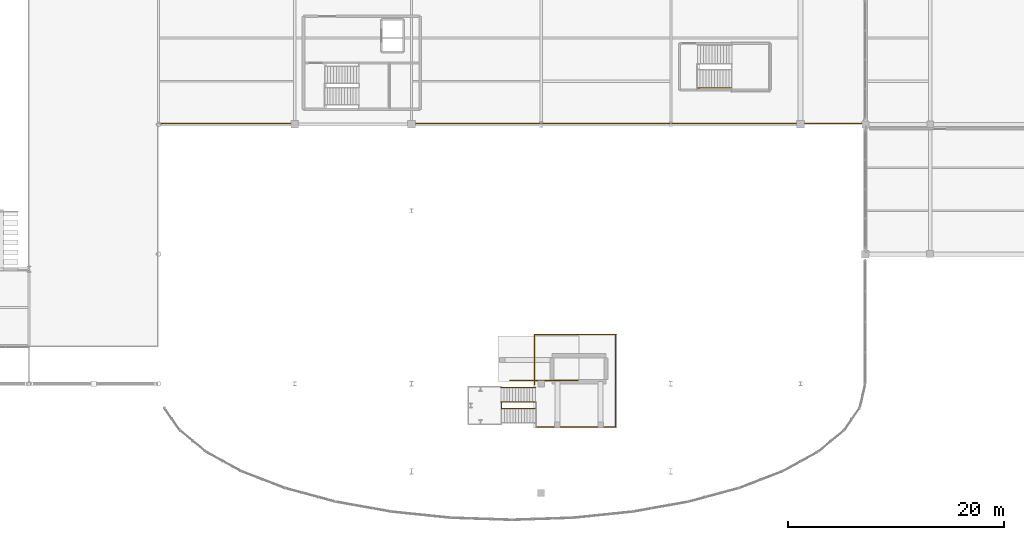
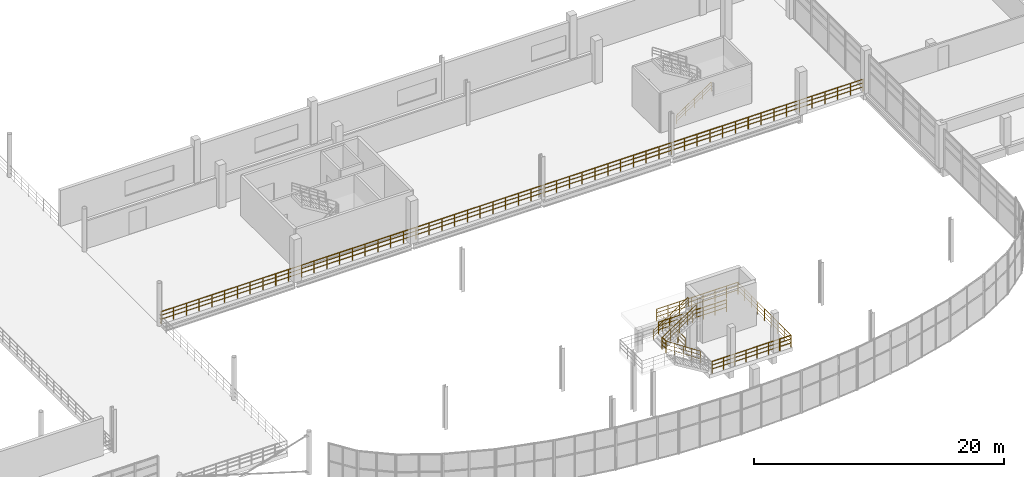
# One storey, part 85 of 89: 11 railings.
"""IFC4 building model written with IfcOpenShell, lengths in metres."""

from ifc_helpers import new_model, si_unit, direction, frame, origin, origin_2d, place, context, subcontext, project, spatial, circle, extrude, material, layer, layer_set, type_object, element, save


model = new_model("IFC4")

# Units and contexts
model_context = context("Model", 3, precision=1e-05, world=origin(), true_north=direction((0.0, 1.0)))
body_context = subcontext(model_context, "Body", "Model", "MODEL_VIEW")
ifc_project = project(units=[si_unit("LENGTHUNIT", "METRE"), si_unit("AREAUNIT", "SQUARE_METRE"), si_unit("VOLUMEUNIT", "CUBIC_METRE"), si_unit("PLANEANGLEUNIT", "RADIAN"), si_unit("MASSUNIT", "GRAM", prefix="KILO"), si_unit("THERMODYNAMICTEMPERATUREUNIT", "KELVIN"), si_unit("POWERUNIT", "WATT")], contexts=[model_context])

# Site, building, storey
site_placement = place(None, origin())
site = spatial("IfcSite", under=ifc_project, at=site_placement, CompositionType="ELEMENT")
building_placement = place(site_placement, origin())
building = spatial("IfcBuilding", under=site, at=building_placement, Name="Solmara Park Aquatics Centre", CompositionType="ELEMENT")
storey_placement = place(building_placement, frame((0.0, 0.0, 5.39990234375)))
storey = spatial("IfcBuildingStorey", under=building, at=storey_placement, Name="L01", CompositionType="ELEMENT", Elevation=5.39990234375)

# Railings
ifc_material_1 = material(Name="Brushed Marine-Grade Stainless Steel 316L Handrail", Category="steel")
ifc_layer_1 = layer(ifc_material_1, 0.044921875, Name="Brushed Marine-Grade Stainless Steel 316L Handrail")
ifc_layer_set_1 = layer_set([ifc_layer_1], Name="Brushed Marine-Grade Stainless Steel 316L Handrail")
railing_type_1 = type_object("IfcRailingType", Name="ARC-RL-HND090", PredefinedType="HANDRAIL", material=ifc_layer_set_1)
railing_1_placement = place(storey_placement, frame((146.449951171875, 39.9599609375, 0.16162109375)))
element("IfcRailing", 1, at=railing_1_placement, inside=storey, type_object=railing_type_1, Name="Diving Pavilion Escape Stair ST-09 (L01-L02) Flight 1 Outer Handrail", PredefinedType="HANDRAIL", context=body_context, shape_type="SweptSolid", body=[
    extrude(circle(Radius=0.02392578125, at=origin_2d()), frame((0.0, 0.0, 0.89599609375), z_axis=(0.834447378162, 0.0, 0.551087627405), x_axis=(0.0, 1.0, 0.0)), (0.0, 0.0, 1.0), 3.810791015625),
    extrude(circle(Radius=0.01416015625, at=origin_2d()), frame((0.0, 0.0, 0.322021484375), z_axis=(0.834447378162, 0.0, 0.551087627405), x_axis=(0.0, 1.0, 0.0)), (0.0, 0.0, 1.0), 3.810791015625),
    extrude(circle(Radius=0.01416015625, at=origin_2d()), frame((0.0, 0.0, 0.62548828125), z_axis=(0.834447378162, 0.0, 0.551087627405), x_axis=(0.0, 1.0, 0.0)), (0.0, 0.0, 1.0), 3.810791015625),
    extrude(circle(Radius=0.02099609375, at=origin_2d()), origin(), (0.0, 0.0, 1.0), 0.871826171875),
    extrude(circle(Radius=0.02099609375, at=origin_2d()), frame((0.794921875, 0.0, 0.52490234375)), (0.0, 0.0, 1.0), 0.871826171875),
    extrude(circle(Radius=0.02099609375, at=origin_2d()), frame((1.58984375, 0.0, 1.050048828125)), (0.0, 0.0, 1.0), 0.871826171875),
    extrude(circle(Radius=0.02099609375, at=origin_2d()), frame((2.385009765625, 0.0, 1.5751953125)), (0.0, 0.0, 1.0), 0.871826171875),
    extrude(circle(Radius=0.02099609375, at=origin_2d()), frame((3.179931640625, 0.0, 2.10009765625)), (0.0, 0.0, 1.0), 0.871826171875),
])
railing_2_placement = place(storey_placement, frame((128.2900390625, 12.239990234375, 2.26171875)))
element("IfcRailing", 2, at=railing_2_placement, inside=storey, type_object=railing_type_1, Name="Diving Tower Platform Stair DT-02 Flight 2 Outer Handrail", PredefinedType="HANDRAIL", context=body_context, shape_type="SweptSolid", body=[
    extrude(circle(Radius=0.02392578125, at=origin_2d()), frame((0.0, 0.0, 0.89599609375), z_axis=(0.834476838559, 0.0, 0.551043016387), x_axis=(0.0, 1.0, 0.0)), (0.0, 0.0, 1.0), 3.810791015625),
    extrude(circle(Radius=0.01416015625, at=origin_2d()), frame((0.0, 0.0, 0.322021484375), z_axis=(0.834476838559, 0.0, 0.551043016387), x_axis=(0.0, 1.0, 0.0)), (0.0, 0.0, 1.0), 3.810791015625),
    extrude(circle(Radius=0.01416015625, at=origin_2d()), frame((0.0, 0.0, 0.62548828125), z_axis=(0.834476838559, 0.0, 0.551043016387), x_axis=(0.0, 1.0, 0.0)), (0.0, 0.0, 1.0), 3.810791015625),
    extrude(circle(Radius=0.02099609375, at=origin_2d()), origin(), (0.0, 0.0, 1.0), 0.871826171875),
    extrude(circle(Radius=0.02099609375, at=origin_2d()), frame((0.794921875, 0.0, 0.52490234375)), (0.0, 0.0, 1.0), 0.871826171875),
    extrude(circle(Radius=0.02099609375, at=origin_2d()), frame((1.58984375, 0.0, 1.0498046875)), (0.0, 0.0, 1.0), 0.871826171875),
    extrude(circle(Radius=0.02099609375, at=origin_2d()), frame((2.385009765625, 0.0, 1.574951171875)), (0.0, 0.0, 1.0), 0.871826171875),
    extrude(circle(Radius=0.02099609375, at=origin_2d()), frame((3.179931640625, 0.0, 2.099853515625)), (0.0, 0.0, 1.0), 0.871826171875),
])
ifc_material_2 = material(Name="Toughened Glass and Stainless Steel Stand Guardrail", Category="steel")
ifc_layer_2 = layer(ifc_material_2, 0.06005859375, Name="Toughened Glass and Stainless Steel Stand Guardrail")
ifc_layer_set_2 = layer_set([ifc_layer_2], Name="Toughened Glass and Stainless Steel Stand Guardrail")
railing_type_2 = type_object("IfcRailingType", Name="ARC-RL-STD110", PredefinedType="GUARDRAIL", material=ifc_layer_set_2)
railing_3_placement = place(storey_placement, frame((96.800048828125, 36.699951171875, 0.0)))
element("IfcRailing", 3, at=railing_3_placement, inside=storey, type_object=railing_type_2, Name="Atrium & Gallery Void Guardrail 13", PredefinedType="GUARDRAIL", context=body_context, shape_type="SweptSolid", body=[
    extrude(circle(Radius=0.02392578125, at=origin_2d()), frame((0.0, 0.0, 1.15576171875), z_axis=(1.0, 0.0, 0.0), x_axis=(0.0, 1.0, 0.0)), (0.0, 0.0, 1.0), 65.0),
    extrude(circle(Radius=0.01416015625, at=origin_2d()), frame((0.0, 0.0, 0.4130859375), z_axis=(1.0, 0.0, 0.0), x_axis=(0.0, 1.0, 0.0)), (0.0, 0.0, 1.0), 65.0),
    extrude(circle(Radius=0.01416015625, at=origin_2d()), frame((0.0, 0.0, 0.80224609375), z_axis=(1.0, 0.0, 0.0), x_axis=(0.0, 1.0, 0.0)), (0.0, 0.0, 1.0), 65.0),
    extrude(circle(Radius=0.02099609375, at=origin_2d()), origin(), (0.0, 0.0, 1.0), 1.1318359375),
    extrude(circle(Radius=0.02099609375, at=origin_2d()), frame((1.181884765625, 0.0, 0.0)), (0.0, 0.0, 1.0), 1.1318359375),
    extrude(circle(Radius=0.02099609375, at=origin_2d()), frame((2.363525390625, 0.0, 0.0)), (0.0, 0.0, 1.0), 1.1318359375),
    extrude(circle(Radius=0.02099609375, at=origin_2d()), frame((3.54541015625, 0.0, 0.0)), (0.0, 0.0, 1.0), 1.1318359375),
    extrude(circle(Radius=0.02099609375, at=origin_2d()), frame((4.727294921875, 0.0, 0.0)), (0.0, 0.0, 1.0), 1.1318359375),
    extrude(circle(Radius=0.02099609375, at=origin_2d()), frame((5.9091796875, 0.0, 0.0)), (0.0, 0.0, 1.0), 1.1318359375),
    extrude(circle(Radius=0.02099609375, at=origin_2d()), frame((7.0908203125, 0.0, 0.0)), (0.0, 0.0, 1.0), 1.1318359375),
    extrude(circle(Radius=0.02099609375, at=origin_2d()), frame((8.272705078125, 0.0, 0.0)), (0.0, 0.0, 1.0), 1.1318359375),
    extrude(circle(Radius=0.02099609375, at=origin_2d()), frame((9.45458984375, 0.0, 0.0)), (0.0, 0.0, 1.0), 1.1318359375),
    extrude(circle(Radius=0.02099609375, at=origin_2d()), frame((10.636474609375, 0.0, 0.0)), (0.0, 0.0, 1.0), 1.1318359375),
    extrude(circle(Radius=0.02099609375, at=origin_2d()), frame((11.818115234375, 0.0, 0.0)), (0.0, 0.0, 1.0), 1.1318359375),
    extrude(circle(Radius=0.02099609375, at=origin_2d()), frame((13.0, 0.0, 0.0)), (0.0, 0.0, 1.0), 1.1318359375),
    extrude(circle(Radius=0.02099609375, at=origin_2d()), frame((14.181884765625, 0.0, 0.0)), (0.0, 0.0, 1.0), 1.1318359375),
    extrude(circle(Radius=0.02099609375, at=origin_2d()), frame((15.363525390625, 0.0, 0.0)), (0.0, 0.0, 1.0), 1.1318359375),
    extrude(circle(Radius=0.02099609375, at=origin_2d()), frame((16.54541015625, 0.0, 0.0)), (0.0, 0.0, 1.0), 1.1318359375),
    extrude(circle(Radius=0.02099609375, at=origin_2d()), frame((17.727294921875, 0.0, 0.0)), (0.0, 0.0, 1.0), 1.1318359375),
    extrude(circle(Radius=0.02099609375, at=origin_2d()), frame((18.9091796875, 0.0, 0.0)), (0.0, 0.0, 1.0), 1.1318359375),
    extrude(circle(Radius=0.02099609375, at=origin_2d()), frame((20.0908203125, 0.0, 0.0)), (0.0, 0.0, 1.0), 1.1318359375),
    extrude(circle(Radius=0.02099609375, at=origin_2d()), frame((21.272705078125, 0.0, 0.0)), (0.0, 0.0, 1.0), 1.1318359375),
    extrude(circle(Radius=0.02099609375, at=origin_2d()), frame((22.45458984375, 0.0, 0.0)), (0.0, 0.0, 1.0), 1.1318359375),
    extrude(circle(Radius=0.02099609375, at=origin_2d()), frame((23.636474609375, 0.0, 0.0)), (0.0, 0.0, 1.0), 1.1318359375),
    extrude(circle(Radius=0.02099609375, at=origin_2d()), frame((24.818115234375, 0.0, 0.0)), (0.0, 0.0, 1.0), 1.1318359375),
    extrude(circle(Radius=0.02099609375, at=origin_2d()), frame((26.0, 0.0, 0.0)), (0.0, 0.0, 1.0), 1.1318359375),
    extrude(circle(Radius=0.02099609375, at=origin_2d()), frame((27.181884765625, 0.0, 0.0)), (0.0, 0.0, 1.0), 1.1318359375),
    extrude(circle(Radius=0.02099609375, at=origin_2d()), frame((28.363525390625, 0.0, 0.0)), (0.0, 0.0, 1.0), 1.1318359375),
    extrude(circle(Radius=0.02099609375, at=origin_2d()), frame((29.54541015625, 0.0, 0.0)), (0.0, 0.0, 1.0), 1.1318359375),
    extrude(circle(Radius=0.02099609375, at=origin_2d()), frame((30.727294921875, 0.0, 0.0)), (0.0, 0.0, 1.0), 1.1318359375),
    extrude(circle(Radius=0.02099609375, at=origin_2d()), frame((31.9091796875, 0.0, 0.0)), (0.0, 0.0, 1.0), 1.1318359375),
    extrude(circle(Radius=0.02099609375, at=origin_2d()), frame((33.0908203125, 0.0, 0.0)), (0.0, 0.0, 1.0), 1.1318359375),
    extrude(circle(Radius=0.02099609375, at=origin_2d()), frame((34.272705078125, 0.0, 0.0)), (0.0, 0.0, 1.0), 1.1318359375),
    extrude(circle(Radius=0.02099609375, at=origin_2d()), frame((35.45458984375, 0.0, 0.0)), (0.0, 0.0, 1.0), 1.1318359375),
    extrude(circle(Radius=0.02099609375, at=origin_2d()), frame((36.636474609375, 0.0, 0.0)), (0.0, 0.0, 1.0), 1.1318359375),
    extrude(circle(Radius=0.02099609375, at=origin_2d()), frame((37.818115234375, 0.0, 0.0)), (0.0, 0.0, 1.0), 1.1318359375),
    extrude(circle(Radius=0.02099609375, at=origin_2d()), frame((39.0, 0.0, 0.0)), (0.0, 0.0, 1.0), 1.1318359375),
    extrude(circle(Radius=0.02099609375, at=origin_2d()), frame((40.181884765625, 0.0, 0.0)), (0.0, 0.0, 1.0), 1.1318359375),
    extrude(circle(Radius=0.02099609375, at=origin_2d()), frame((41.363525390625, 0.0, 0.0)), (0.0, 0.0, 1.0), 1.1318359375),
    extrude(circle(Radius=0.02099609375, at=origin_2d()), frame((42.54541015625, 0.0, 0.0)), (0.0, 0.0, 1.0), 1.1318359375),
    extrude(circle(Radius=0.02099609375, at=origin_2d()), frame((43.727294921875, 0.0, 0.0)), (0.0, 0.0, 1.0), 1.1318359375),
    extrude(circle(Radius=0.02099609375, at=origin_2d()), frame((44.9091796875, 0.0, 0.0)), (0.0, 0.0, 1.0), 1.1318359375),
    extrude(circle(Radius=0.02099609375, at=origin_2d()), frame((46.0908203125, 0.0, 0.0)), (0.0, 0.0, 1.0), 1.1318359375),
    extrude(circle(Radius=0.02099609375, at=origin_2d()), frame((47.272705078125, 0.0, 0.0)), (0.0, 0.0, 1.0), 1.1318359375),
    extrude(circle(Radius=0.02099609375, at=origin_2d()), frame((48.45458984375, 0.0, 0.0)), (0.0, 0.0, 1.0), 1.1318359375),
    extrude(circle(Radius=0.02099609375, at=origin_2d()), frame((49.636474609375, 0.0, 0.0)), (0.0, 0.0, 1.0), 1.1318359375),
    extrude(circle(Radius=0.02099609375, at=origin_2d()), frame((50.818115234375, 0.0, 0.0)), (0.0, 0.0, 1.0), 1.1318359375),
    extrude(circle(Radius=0.02099609375, at=origin_2d()), frame((52.0, 0.0, 0.0)), (0.0, 0.0, 1.0), 1.1318359375),
    extrude(circle(Radius=0.02099609375, at=origin_2d()), frame((53.181884765625, 0.0, 0.0)), (0.0, 0.0, 1.0), 1.1318359375),
    extrude(circle(Radius=0.02099609375, at=origin_2d()), frame((54.363525390625, 0.0, 0.0)), (0.0, 0.0, 1.0), 1.1318359375),
    extrude(circle(Radius=0.02099609375, at=origin_2d()), frame((55.54541015625, 0.0, 0.0)), (0.0, 0.0, 1.0), 1.1318359375),
    extrude(circle(Radius=0.02099609375, at=origin_2d()), frame((56.727294921875, 0.0, 0.0)), (0.0, 0.0, 1.0), 1.1318359375),
    extrude(circle(Radius=0.02099609375, at=origin_2d()), frame((57.9091796875, 0.0, 0.0)), (0.0, 0.0, 1.0), 1.1318359375),
    extrude(circle(Radius=0.02099609375, at=origin_2d()), frame((59.0908203125, 0.0, 0.0)), (0.0, 0.0, 1.0), 1.1318359375),
    extrude(circle(Radius=0.02099609375, at=origin_2d()), frame((60.272705078125, 0.0, 0.0)), (0.0, 0.0, 1.0), 1.1318359375),
    extrude(circle(Radius=0.02099609375, at=origin_2d()), frame((61.45458984375, 0.0, 0.0)), (0.0, 0.0, 1.0), 1.1318359375),
    extrude(circle(Radius=0.02099609375, at=origin_2d()), frame((62.636474609375, 0.0, 0.0)), (0.0, 0.0, 1.0), 1.1318359375),
    extrude(circle(Radius=0.02099609375, at=origin_2d()), frame((63.818115234375, 0.0, 0.0)), (0.0, 0.0, 1.0), 1.1318359375),
    extrude(circle(Radius=0.02099609375, at=origin_2d()), frame((65.0, 0.0, 0.0)), (0.0, 0.0, 1.0), 1.1318359375),
])
railing_4_placement = place(storey_placement, frame((131.60009765625, 8.60009765625, 0.0)))
element("IfcRailing", 4, at=railing_4_placement, inside=storey, type_object=railing_type_2, Name="Atrium & Gallery Void Guardrail 26", PredefinedType="GUARDRAIL", context=body_context, shape_type="SweptSolid", body=[
    extrude(circle(Radius=0.02392578125, at=origin_2d()), frame((0.0, 0.0, 1.15576171875), z_axis=(1.0, 0.0, 0.0), x_axis=(0.0, 1.0, 0.0)), (0.0, 0.0, 1.0), 7.2998046875),
    extrude(circle(Radius=0.01416015625, at=origin_2d()), frame((0.0, 0.0, 0.4130859375), z_axis=(1.0, 0.0, 0.0), x_axis=(0.0, 1.0, 0.0)), (0.0, 0.0, 1.0), 7.2998046875),
    extrude(circle(Radius=0.01416015625, at=origin_2d()), frame((0.0, 0.0, 0.80224609375), z_axis=(1.0, 0.0, 0.0), x_axis=(0.0, 1.0, 0.0)), (0.0, 0.0, 1.0), 7.2998046875),
    extrude(circle(Radius=0.02099609375, at=origin_2d()), origin(), (0.0, 0.0, 1.0), 1.1318359375),
    extrude(circle(Radius=0.02099609375, at=origin_2d()), frame((1.042724609375, 0.0, 0.0)), (0.0, 0.0, 1.0), 1.1318359375),
    extrude(circle(Radius=0.02099609375, at=origin_2d()), frame((2.085693359375, 0.0, 0.0)), (0.0, 0.0, 1.0), 1.1318359375),
    extrude(circle(Radius=0.02099609375, at=origin_2d()), frame((3.12841796875, 0.0, 0.0)), (0.0, 0.0, 1.0), 1.1318359375),
    extrude(circle(Radius=0.02099609375, at=origin_2d()), frame((4.17138671875, 0.0, 0.0)), (0.0, 0.0, 1.0), 1.1318359375),
    extrude(circle(Radius=0.02099609375, at=origin_2d()), frame((5.214111328125, 0.0, 0.0)), (0.0, 0.0, 1.0), 1.1318359375),
    extrude(circle(Radius=0.02099609375, at=origin_2d()), frame((6.257080078125, 0.0, 0.0)), (0.0, 0.0, 1.0), 1.1318359375),
    extrude(circle(Radius=0.02099609375, at=origin_2d()), frame((7.2998046875, 0.0, 0.0)), (0.0, 0.0, 1.0), 1.1318359375),
])
railing_5_placement = place(storey_placement, frame((138.89990234375, 8.60009765625, 0.0)))
element("IfcRailing", 5, at=railing_5_placement, inside=storey, type_object=railing_type_2, Name="Atrium & Gallery Void Guardrail 27", PredefinedType="GUARDRAIL", context=body_context, shape_type="SweptSolid", body=[
    extrude(circle(Radius=0.02392578125, at=origin_2d()), frame((0.0, 0.0, 1.15576171875), z_axis=(0.0, 1.0, 0.0), x_axis=(-1.0, 0.0, 0.0)), (0.0, 0.0, 1.0), 8.5),
    extrude(circle(Radius=0.01416015625, at=origin_2d()), frame((0.0, 0.0, 0.4130859375), z_axis=(0.0, 1.0, 0.0), x_axis=(-1.0, 0.0, 0.0)), (0.0, 0.0, 1.0), 8.5),
    extrude(circle(Radius=0.01416015625, at=origin_2d()), frame((0.0, 0.0, 0.80224609375), z_axis=(0.0, 1.0, 0.0), x_axis=(-1.0, 0.0, 0.0)), (0.0, 0.0, 1.0), 8.5),
    extrude(circle(Radius=0.02099609375, at=origin_2d()), origin(), (0.0, 0.0, 1.0), 1.1318359375),
    extrude(circle(Radius=0.02099609375, at=origin_2d()), frame((0.0, 1.0625, 0.0)), (0.0, 0.0, 1.0), 1.1318359375),
    extrude(circle(Radius=0.02099609375, at=origin_2d()), frame((0.0, 2.125, 0.0)), (0.0, 0.0, 1.0), 1.1318359375),
    extrude(circle(Radius=0.02099609375, at=origin_2d()), frame((0.0, 3.1875, 0.0)), (0.0, 0.0, 1.0), 1.1318359375),
    extrude(circle(Radius=0.02099609375, at=origin_2d()), frame((0.0, 4.25, 0.0)), (0.0, 0.0, 1.0), 1.1318359375),
    extrude(circle(Radius=0.02099609375, at=origin_2d()), frame((0.0, 5.3125, 0.0)), (0.0, 0.0, 1.0), 1.1318359375),
    extrude(circle(Radius=0.02099609375, at=origin_2d()), frame((0.0, 6.375, 0.0)), (0.0, 0.0, 1.0), 1.1318359375),
    extrude(circle(Radius=0.02099609375, at=origin_2d()), frame((0.0, 7.4375, 0.0)), (0.0, 0.0, 1.0), 1.1318359375),
    extrude(circle(Radius=0.02099609375, at=origin_2d()), frame((0.0, 8.5, 0.0)), (0.0, 0.0, 1.0), 1.1318359375),
])
railing_6_placement = place(storey_placement, frame((129.10009765625, 12.89990234375, 2.10009765625)))
element("IfcRailing", 6, at=railing_6_placement, inside=storey, type_object=railing_type_2, Name="Atrium & Gallery Void Guardrail 28", PredefinedType="GUARDRAIL", context=body_context, shape_type="SweptSolid", body=[
    extrude(circle(Radius=0.02392578125, at=origin_2d()), frame((0.0, 0.0, 1.15576171875), z_axis=(1.0, 0.0, 0.0), x_axis=(0.0, 1.0, 0.0)), (0.0, 0.0, 1.0), 6.2998046875),
    extrude(circle(Radius=0.01416015625, at=origin_2d()), frame((0.0, 0.0, 0.4130859375), z_axis=(1.0, 0.0, 0.0), x_axis=(0.0, 1.0, 0.0)), (0.0, 0.0, 1.0), 6.2998046875),
    extrude(circle(Radius=0.01416015625, at=origin_2d()), frame((0.0, 0.0, 0.80224609375), z_axis=(1.0, 0.0, 0.0), x_axis=(0.0, 1.0, 0.0)), (0.0, 0.0, 1.0), 6.2998046875),
    extrude(circle(Radius=0.02099609375, at=origin_2d()), origin(), (0.0, 0.0, 1.0), 1.1318359375),
    extrude(circle(Radius=0.02099609375, at=origin_2d()), frame((1.050048828125, 0.0, 0.0)), (0.0, 0.0, 1.0), 1.1318359375),
    extrude(circle(Radius=0.02099609375, at=origin_2d()), frame((2.099853515625, 0.0, 0.0)), (0.0, 0.0, 1.0), 1.1318359375),
    extrude(circle(Radius=0.02099609375, at=origin_2d()), frame((3.14990234375, 0.0, 0.0)), (0.0, 0.0, 1.0), 1.1318359375),
    extrude(circle(Radius=0.02099609375, at=origin_2d()), frame((4.199951171875, 0.0, 0.0)), (0.0, 0.0, 1.0), 1.1318359375),
    extrude(circle(Radius=0.02099609375, at=origin_2d()), frame((5.249755859375, 0.0, 0.0)), (0.0, 0.0, 1.0), 1.1318359375),
    extrude(circle(Radius=0.02099609375, at=origin_2d()), frame((6.2998046875, 0.0, 0.0)), (0.0, 0.0, 1.0), 1.1318359375),
])
railing_7_placement = place(storey_placement, frame((131.360107421875, 12.5, 0.0)))
element("IfcRailing", 7, at=railing_7_placement, inside=storey, type_object=railing_type_2, Name="L01 Slab Edge Guardrail 078", PredefinedType="GUARDRAIL", context=body_context, shape_type="SweptSolid", body=[
    extrude(circle(Radius=0.02392578125, at=origin_2d()), frame((0.0, 0.0, 1.15576171875), z_axis=(0.0, 1.0, 0.0), x_axis=(-1.0, 0.0, 0.0)), (0.0, 0.0, 1.0), 4.639892578125),
    extrude(circle(Radius=0.01416015625, at=origin_2d()), frame((0.0, 0.0, 0.4130859375), z_axis=(0.0, 1.0, 0.0), x_axis=(-1.0, 0.0, 0.0)), (0.0, 0.0, 1.0), 4.639892578125),
    extrude(circle(Radius=0.01416015625, at=origin_2d()), frame((0.0, 0.0, 0.80224609375), z_axis=(0.0, 1.0, 0.0), x_axis=(-1.0, 0.0, 0.0)), (0.0, 0.0, 1.0), 4.639892578125),
    extrude(circle(Radius=0.02099609375, at=origin_2d()), origin(), (0.0, 0.0, 1.0), 1.1318359375),
    extrude(circle(Radius=0.02099609375, at=origin_2d()), frame((0.0, 1.159912109375, 0.0)), (0.0, 0.0, 1.0), 1.1318359375),
    extrude(circle(Radius=0.02099609375, at=origin_2d()), frame((0.0, 2.31982421875, 0.0)), (0.0, 0.0, 1.0), 1.1318359375),
    extrude(circle(Radius=0.02099609375, at=origin_2d()), frame((0.0, 3.47998046875, 0.0)), (0.0, 0.0, 1.0), 1.1318359375),
    extrude(circle(Radius=0.02099609375, at=origin_2d()), frame((0.0, 4.639892578125, 0.0)), (0.0, 0.0, 1.0), 1.1318359375),
])
railing_8_placement = place(storey_placement, frame((131.360107421875, 17.139892578125, 0.0)))
element("IfcRailing", 8, at=railing_8_placement, inside=storey, type_object=railing_type_2, Name="L01 Slab Edge Guardrail 079", PredefinedType="GUARDRAIL", context=body_context, shape_type="SweptSolid", body=[
    extrude(circle(Radius=0.02392578125, at=origin_2d()), frame((0.0, 0.0, 1.15576171875), z_axis=(1.0, 0.0, 0.0), x_axis=(0.0, 1.0, 0.0)), (0.0, 0.0, 1.0), 7.579833984375),
    extrude(circle(Radius=0.01416015625, at=origin_2d()), frame((0.0, 0.0, 0.4130859375), z_axis=(1.0, 0.0, 0.0), x_axis=(0.0, 1.0, 0.0)), (0.0, 0.0, 1.0), 7.579833984375),
    extrude(circle(Radius=0.01416015625, at=origin_2d()), frame((0.0, 0.0, 0.80224609375), z_axis=(1.0, 0.0, 0.0), x_axis=(0.0, 1.0, 0.0)), (0.0, 0.0, 1.0), 7.579833984375),
    extrude(circle(Radius=0.02099609375, at=origin_2d()), origin(), (0.0, 0.0, 1.0), 1.1318359375),
    extrude(circle(Radius=0.02099609375, at=origin_2d()), frame((1.082763671875, 0.0, 0.0)), (0.0, 0.0, 1.0), 1.1318359375),
    extrude(circle(Radius=0.02099609375, at=origin_2d()), frame((2.165771484375, 0.0, 0.0)), (0.0, 0.0, 1.0), 1.1318359375),
    extrude(circle(Radius=0.02099609375, at=origin_2d()), frame((3.24853515625, 0.0, 0.0)), (0.0, 0.0, 1.0), 1.1318359375),
    extrude(circle(Radius=0.02099609375, at=origin_2d()), frame((4.331298828125, 0.0, 0.0)), (0.0, 0.0, 1.0), 1.1318359375),
    extrude(circle(Radius=0.02099609375, at=origin_2d()), frame((5.4140625, 0.0, 0.0)), (0.0, 0.0, 1.0), 1.1318359375),
    extrude(circle(Radius=0.02099609375, at=origin_2d()), frame((6.4970703125, 0.0, 0.0)), (0.0, 0.0, 1.0), 1.1318359375),
    extrude(circle(Radius=0.02099609375, at=origin_2d()), frame((7.579833984375, 0.0, 0.0)), (0.0, 0.0, 1.0), 1.1318359375),
])
ifc_material_3 = material(Name="Brushed Stainless Steel Guardrail", Category="steel")
ifc_layer_3 = layer(ifc_material_3, 0.050048828125, Name="Brushed Stainless Steel Guardrail")
ifc_layer_set_3 = layer_set([ifc_layer_3], Name="Brushed Stainless Steel Guardrail")
railing_type_3 = type_object("IfcRailingType", Name="ARC-RL-STR110", PredefinedType="GUARDRAIL", material=ifc_layer_set_3)
railing_9_placement = place(storey_placement, frame((131.5, 10.300048828125, 0.0)))
element("IfcRailing", 9, at=railing_9_placement, inside=storey, type_object=railing_type_3, Name="Diving Tower Platform Stair DT-02 Flight 1 Inner Guardrail", PredefinedType="GUARDRAIL", context=body_context, shape_type="SweptSolid", body=[
    extrude(circle(Radius=0.02392578125, at=origin_2d()), frame((0.0, 0.0, 1.15576171875), z_axis=(-0.834447378162, 0.0, 0.551087627405), x_axis=(0.0, -1.0, 0.0)), (0.0, 0.0, 1.0), 3.810791015625),
    extrude(circle(Radius=0.01416015625, at=origin_2d()), frame((0.0, 0.0, 0.4130859375), z_axis=(-0.834447378162, 0.0, 0.551087627405), x_axis=(0.0, -1.0, 0.0)), (0.0, 0.0, 1.0), 3.810791015625),
    extrude(circle(Radius=0.01416015625, at=origin_2d()), frame((0.0, 0.0, 0.80224609375), z_axis=(-0.834447378162, 0.0, 0.551087627405), x_axis=(0.0, -1.0, 0.0)), (0.0, 0.0, 1.0), 3.810791015625),
    extrude(circle(Radius=0.02099609375, at=origin_2d()), origin(), (0.0, 0.0, 1.0), 1.1318359375),
    extrude(circle(Radius=0.02099609375, at=origin_2d()), frame((-0.794921875, 0.0, 0.52490234375)), (0.0, 0.0, 1.0), 1.1318359375),
    extrude(circle(Radius=0.02099609375, at=origin_2d()), frame((-1.58984375, 0.0, 1.050048828125)), (0.0, 0.0, 1.0), 1.1318359375),
    extrude(circle(Radius=0.02099609375, at=origin_2d()), frame((-2.385009765625, 0.0, 1.5751953125)), (0.0, 0.0, 1.0), 1.1318359375),
    extrude(circle(Radius=0.02099609375, at=origin_2d()), frame((-3.179931640625, 0.0, 2.10009765625)), (0.0, 0.0, 1.0), 1.1318359375),
])
railing_10_placement = place(storey_placement, frame((128.2900390625, 10.89990234375, 2.10009765625)))
element("IfcRailing", 10, at=railing_10_placement, inside=storey, type_object=railing_type_3, Name="Diving Tower Platform Stair DT-02 Flight 2 Inner Guardrail", PredefinedType="GUARDRAIL", context=body_context, shape_type="SweptSolid", body=[
    extrude(circle(Radius=0.02392578125, at=origin_2d()), frame((0.0, 0.0, 1.15576171875), z_axis=(0.834447378162, 0.0, 0.551087627405), x_axis=(0.0, 1.0, 0.0)), (0.0, 0.0, 1.0), 3.810791015625),
    extrude(circle(Radius=0.01416015625, at=origin_2d()), frame((0.0, 0.0, 0.4130859375), z_axis=(0.834447378162, 0.0, 0.551087627405), x_axis=(0.0, 1.0, 0.0)), (0.0, 0.0, 1.0), 3.810791015625),
    extrude(circle(Radius=0.01416015625, at=origin_2d()), frame((0.0, 0.0, 0.80224609375), z_axis=(0.834447378162, 0.0, 0.551087627405), x_axis=(0.0, 1.0, 0.0)), (0.0, 0.0, 1.0), 3.810791015625),
    extrude(circle(Radius=0.02099609375, at=origin_2d()), origin(), (0.0, 0.0, 1.0), 1.1318359375),
    extrude(circle(Radius=0.02099609375, at=origin_2d()), frame((0.794921875, 0.0, 0.52490234375)), (0.0, 0.0, 1.0), 1.1318359375),
    extrude(circle(Radius=0.02099609375, at=origin_2d()), frame((1.58984375, 0.0, 1.050048828125)), (0.0, 0.0, 1.0), 1.1318359375),
    extrude(circle(Radius=0.02099609375, at=origin_2d()), frame((2.385009765625, 0.0, 1.5751953125)), (0.0, 0.0, 1.0), 1.1318359375),
    extrude(circle(Radius=0.02099609375, at=origin_2d()), frame((3.179931640625, 0.0, 2.10009765625)), (0.0, 0.0, 1.0), 1.1318359375),
])
railing_11_placement = place(storey_placement, frame((128.320068359375, 10.280029296875, 2.10009765625)))
element("IfcRailing", 11, at=railing_11_placement, inside=storey, type_object=railing_type_3, Name="Diving Tower Platform Stair DT-02 Half-Landing Well Guardrail", PredefinedType="GUARDRAIL", context=body_context, shape_type="SweptSolid", body=[
    extrude(circle(Radius=0.02392578125, at=origin_2d()), frame((0.0, 0.0, 1.15576171875), z_axis=(0.0, 1.0, 0.0), x_axis=(-1.0, 0.0, 0.0)), (0.0, 0.0, 1.0), 0.639892578125),
    extrude(circle(Radius=0.01416015625, at=origin_2d()), frame((0.0, 0.0, 0.4130859375), z_axis=(0.0, 1.0, 0.0), x_axis=(-1.0, 0.0, 0.0)), (0.0, 0.0, 1.0), 0.639892578125),
    extrude(circle(Radius=0.01416015625, at=origin_2d()), frame((0.0, 0.0, 0.80224609375), z_axis=(0.0, 1.0, 0.0), x_axis=(-1.0, 0.0, 0.0)), (0.0, 0.0, 1.0), 0.639892578125),
    extrude(circle(Radius=0.02099609375, at=origin_2d()), origin(), (0.0, 0.0, 1.0), 1.1318359375),
    extrude(circle(Radius=0.02099609375, at=origin_2d()), frame((0.0, 0.639892578125, 0.0)), (0.0, 0.0, 1.0), 1.1318359375),
])

save(model, "model.ifc")
